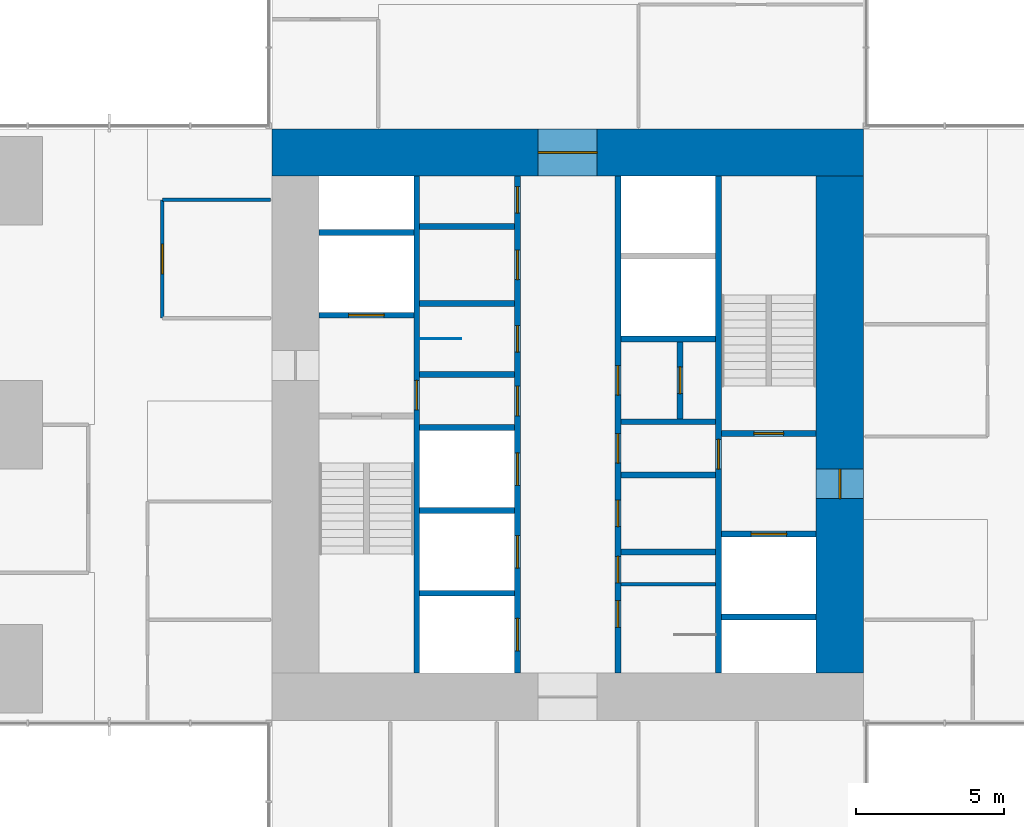
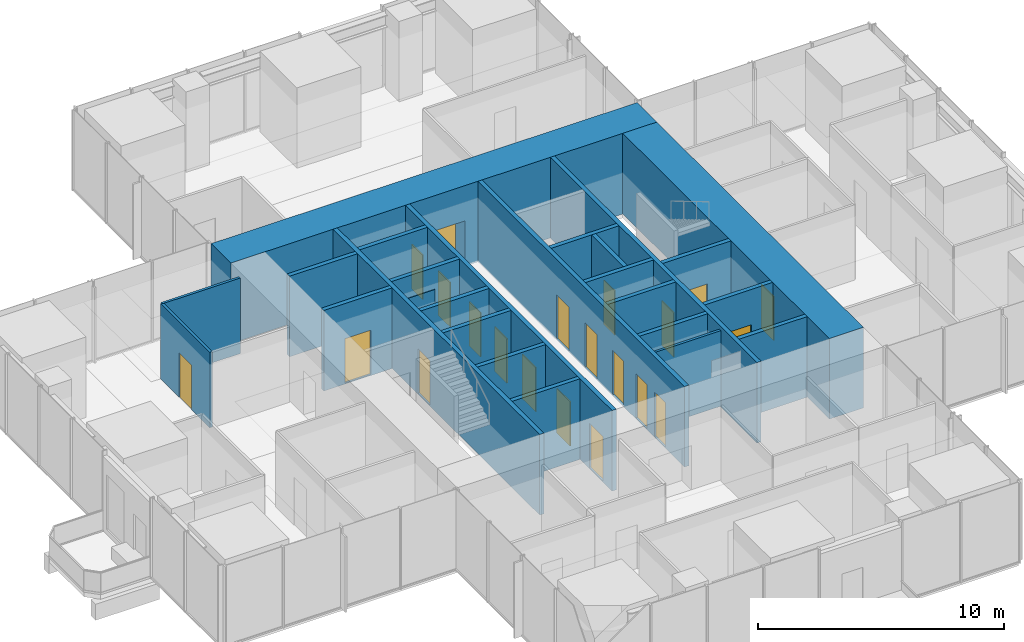
# One storey, part 9 of 13: 26 walls, 21 doors, 21 openings.
"""IFC4 building model written with IfcOpenShell, lengths in metres."""

import ifcopenshell
import ifcopenshell.guid

model = None  # the IFC model being written
_history = None  # IfcOwnerHistory: only IFC2X3 demands one
_inside = {}  # id of a spatial element -> (the spatial element, [elements in it])
_under = {}  # id of a project, library or spatial element -> (it, [spatial elements below it])
_declared = {}  # id of a project -> (the project, [libraries it declares])
_typed = {}  # id of a type object -> (the type object, [elements of that type])
_made_of = {}  # id of a material, layer set ... -> (it, [elements and type objects made of it])


def new_model(schema):
    """Start an empty IFC model of exactly this schema.

    Asked for "IFC4X3", IfcOpenShell would pick the latest addendum, in which some entities
    have other attributes; the version numbers below select the first issue.
    IFC2X3 requires an IfcOwnerHistory on every rooted entity: one is made here for all.
    """
    global model, _history
    if schema == "IFC4X3":
        model = ifcopenshell.file(schema_version=(4, 3, 0, 0))
    else:
        model = ifcopenshell.file(schema=schema)
    _inside.clear()
    _under.clear()
    _declared.clear()
    _typed.clear()
    _made_of.clear()
    _history = None
    if model.schema == "IFC2X3":
        org = make("IfcOrganization", Name="unknown")
        user = make(
            "IfcPersonAndOrganization",
            ThePerson=make("IfcPerson", FamilyName="unknown"),
            TheOrganization=org,
        )
        app = make(
            "IfcApplication",
            ApplicationDeveloper=org,
            Version="unknown",
            ApplicationFullName="unknown",
            ApplicationIdentifier="unknown",
        )
        _history = make(
            "IfcOwnerHistory",
            OwningUser=user,
            OwningApplication=app,
            ChangeAction="ADDED",
            CreationDate=0,
        )
    return model


def make(cls, **values):
    """One entity of the class cls with the attributes given. An attribute that is None is left unset."""
    return model.create_entity(
        cls, **{name: value for name, value in values.items() if value is not None}
    )


def rooted(cls, **values):
    """An entity with a GlobalId (a new one), such as an element, a storey or a relation."""
    return make(cls, GlobalId=ifcopenshell.guid.new(), OwnerHistory=_history, **values)


def si_unit(unit_type, name, prefix=None):
    """IfcSIUnit, for example si_unit("LENGTHUNIT", "METRE", prefix="MILLI")."""
    return make("IfcSIUnit", UnitType=unit_type, Prefix=prefix, Name=name)


def assignment(units):
    """IfcUnitAssignment: the units of a project."""
    return None if units is None else make("IfcUnitAssignment", Units=units)


def point(xyz):
    """IfcCartesianPoint."""
    return None if xyz is None else make("IfcCartesianPoint", Coordinates=xyz)


def direction(xyz):
    """IfcDirection."""
    return None if xyz is None else make("IfcDirection", DirectionRatios=xyz)


def frame(location, z_axis=None, x_axis=None):
    """IfcAxis2Placement3D, a coordinate frame: its origin and axes. An axis left out is left unset."""
    return make(
        "IfcAxis2Placement3D",
        Location=point(location),
        Axis=direction(z_axis),
        RefDirection=direction(x_axis),
    )


def frame_2d(location, x_axis=None):
    """IfcAxis2Placement2D, a coordinate frame in the plane: its origin and x axis."""
    return make(
        "IfcAxis2Placement2D", Location=point(location), RefDirection=direction(x_axis)
    )


def origin():
    """The frame at (0, 0, 0) with its axes left unset."""
    return frame((0.0, 0.0, 0.0))


def place(relative_to, where):
    """IfcLocalPlacement: puts the frame where relative to a parent placement (None: the world)."""
    return make(
        "IfcLocalPlacement", PlacementRelTo=relative_to, RelativePlacement=where
    )


def context(
    kind, dimensions, precision=None, world=None, true_north=None, identifier=None
):
    """IfcGeometricRepresentationContext, for example the 3D "Model" context."""
    return make(
        "IfcGeometricRepresentationContext",
        ContextIdentifier=identifier,
        ContextType=kind,
        CoordinateSpaceDimension=dimensions,
        Precision=precision,
        WorldCoordinateSystem=world,
        TrueNorth=true_north,
    )


def subcontext(parent, identifier, kind, view, scale=None):
    """IfcGeometricRepresentationSubContext, for example "Body" below "Model"."""
    return make(
        "IfcGeometricRepresentationSubContext",
        ContextIdentifier=identifier,
        ContextType=kind,
        ParentContext=parent,
        TargetScale=scale,
        TargetView=view,
    )


def project(units=None, contexts=None):
    """IfcProject with its units and contexts."""
    return rooted(
        "IfcProject",
        Name="project",
        RepresentationContexts=contexts,
        UnitsInContext=assignment(units),
    )


def spatial(cls, under=None, at=None, **own):
    """A site, building, storey or space (cls), placed at a placement, below another one or the project."""
    s = rooted(cls, ObjectPlacement=at, **own)
    if under is not None:
        _under.setdefault(under.id(), (under, []))[1].append(s)
    return s


def profile(cls, at=None, kind="AREA", **sizes):
    """A parametric profile (cls). Its sizes go by their IFC names, for example OverallWidth=200.0."""
    return make(cls, ProfileType=kind, Position=at, **sizes)


def rectangle(**sizes):
    """IfcRectangleProfileDef."""
    return profile("IfcRectangleProfileDef", **sizes)


def extrude(swept, where, along, depth):
    """IfcExtrudedAreaSolid: the profile swept, set in the frame where, extruded along a direction by depth."""
    return make(
        "IfcExtrudedAreaSolid",
        SweptArea=swept,
        Position=where,
        ExtrudedDirection=direction(along),
        Depth=depth,
    )


def shape(context_of_items, identifier, shape_type, items):
    """IfcShapeRepresentation: the items that make up one representation, for example the "Body"."""
    return make(
        "IfcShapeRepresentation",
        ContextOfItems=context_of_items,
        RepresentationIdentifier=identifier,
        RepresentationType=shape_type,
        Items=items,
    )


def material(Name=None, Category=None):
    """IfcMaterial."""
    return make("IfcMaterial", Name=Name, Category=Category)


def layer(
    of_material, thickness, ventilated=None, Name=None, Category=None, Priority=None
):
    """IfcMaterialLayer: one layer of a wall or slab, of a material (None: an air gap)."""
    return make(
        "IfcMaterialLayer",
        Material=of_material,
        LayerThickness=thickness,
        IsVentilated=ventilated,
        Name=Name,
        Category=Category,
        Priority=Priority,
    )


def layer_set(layers, Name=None):
    """IfcMaterialLayerSet."""
    return make("IfcMaterialLayerSet", MaterialLayers=layers, LayerSetName=Name)


def made_of(thing, what):
    """Note that an element or type object is made of a material, layer set ...; save() writes the relation."""
    if what is not None:
        _made_of.setdefault(what.id(), (what, []))[1].append(thing)
    return thing


def type_object(cls, material=None, **own):
    """A type object (cls), such as IfcWallType, which elements share."""
    return made_of(rooted(cls, **own), material)


def element(
    cls,
    number,
    at=None,
    inside=None,
    cuts=None,
    type_object=None,
    material=None,
    context=None,
    identifier="Body",
    shape_type=None,
    held_by="IfcProductDefinitionShape",
    body=None,
    shapes=None,
    **own,
):
    """One element of the class cls, such as IfcWall. Its Tag is "e" and its number.

    at: its placement. inside: the storey or other place that contains it. cuts: it is an
    opening in that element (IfcRelVoidsElement). A single representation is given by context,
    identifier, shape_type and body (its items); several are given by shapes. held_by: the class
    of the entity that holds the representations. save() writes the other relations.
    """
    e = rooted(cls, Tag="e%d" % number, ObjectPlacement=at, **own)
    if body is not None:
        shapes = [shape(context, identifier, shape_type, body)]
    if shapes is not None:
        e.Representation = make(held_by, Representations=shapes)
    if inside is not None:
        _inside.setdefault(inside.id(), (inside, []))[1].append(e)
    if cuts is not None:
        rooted(
            "IfcRelVoidsElement", RelatingBuildingElement=cuts, RelatedOpeningElement=e
        )
    if type_object is not None:
        _typed.setdefault(type_object.id(), (type_object, []))[1].append(e)
    return made_of(e, material)


def fill(opening, filler):
    """IfcRelFillsElement: the door or window that sits in an opening."""
    return rooted(
        "IfcRelFillsElement",
        RelatingOpeningElement=opening,
        RelatedBuildingElement=filler,
    )


def aggregate(whole, parts):
    """IfcRelAggregates: a whole, such as a stair, and the parts it consists of."""
    return rooted("IfcRelAggregates", RelatingObject=whole, RelatedObjects=parts)


def save(model, path):
    """Write the relations noted so far, then the file.

    IfcRelAggregates (storeys below a building ...), IfcRelContainedInSpatialStructure (elements
    in a storey), IfcRelDefinesByType, IfcRelAssociatesMaterial and IfcRelDeclares: one each for
    every whole, place, type object, material and project.
    """
    for whole, parts in _under.values():
        aggregate(whole, parts)
    for where, things in _inside.values():
        rooted(
            "IfcRelContainedInSpatialStructure",
            RelatedElements=things,
            RelatingStructure=where,
        )
    for kind, things in _typed.values():
        rooted("IfcRelDefinesByType", RelatedObjects=things, RelatingType=kind)
    for what, things in _made_of.values():
        rooted("IfcRelAssociatesMaterial", RelatedObjects=things, RelatingMaterial=what)
    for by, libraries in _declared.values():
        rooted("IfcRelDeclares", RelatingContext=by, RelatedDefinitions=libraries)
    model.write(path)


model = new_model("IFC4")

# Units and contexts
model_context = context("Model", 3, precision=1e-05, world=origin(), true_north=direction((0.0, 1.0)))
body_context = subcontext(model_context, "Body", "Model", "MODEL_VIEW")
ifc_project = project(units=[si_unit("LENGTHUNIT", "METRE"), si_unit("AREAUNIT", "SQUARE_METRE"), si_unit("VOLUMEUNIT", "CUBIC_METRE"), si_unit("PLANEANGLEUNIT", "RADIAN"), si_unit("MASSUNIT", "GRAM", prefix="KILO")], contexts=[model_context])

# Site, building, storey
site_placement = place(None, origin())
site = spatial("IfcSite", under=ifc_project, at=site_placement, CompositionType="ELEMENT")
building_placement = place(site_placement, origin())
building = spatial("IfcBuilding", under=site, at=building_placement, Name="Svetlomir Tower", CompositionType="ELEMENT")
storey_placement = place(building_placement, frame((0.0, 0.0, 144.5)))
storey = spatial("IfcBuildingStorey", under=building, at=storey_placement, Name="L34", CompositionType="ELEMENT", Elevation=144.5)

# Wall, opening, door
ifc_material_1 = material(Name="Concrete C60/75", Category="concrete")
ifc_layer_1 = layer(ifc_material_1, 0.199951171875)
ifc_layer_set_1 = layer_set([ifc_layer_1], Name="Concrete C60/75")
wall_type_1 = type_object("IfcWallType", Name="CORE INNER WALL 200", PredefinedType="SHEAR", material=ifc_layer_set_1)
wall_1_placement = place(storey_placement, frame((15.89990234375, 12.60009765625, -0.050048828125), z_axis=(0.0, 0.0, 1.0), x_axis=(0.0, 1.0, 0.0)))
wall_1 = element("IfcWall", 1, at=wall_1_placement, inside=storey, type_object=wall_type_1, Name="Core inner wall 15.9 L34", PredefinedType="SHEAR", context=body_context, shape_type="SweptSolid", body=[
    extrude(rectangle(XDim=16.7998046875, YDim=0.199951171875, at=frame_2d((8.39990234375, 0.0))), origin(), (0.0, 0.0, 1.0), 4.0),
])
opening_1_placement = place(wall_1_placement, frame((8.89990234375, 0.0, 0.050048828125)))
opening_1 = element("IfcOpeningElement", 2, at=opening_1_placement, cuts=wall_1, Name="Opening DF", PredefinedType="OPENING", context=body_context, shape_type="SweptSolid", body=[
    extrude(rectangle(XDim=1.0, YDim=2.199951171875, at=frame_2d((0.5, 1.10009765625))), frame((0.0, 0.10986328125, 0.0), z_axis=(0.0, -1.0, 0.0), x_axis=(1.0, 0.0, 0.0)), (0.0, 0.0, 1.0), 0.219970703125),
])
ifc_material_2 = material(Name="Steel fire door", Category="steel")
door_type_1 = type_object("IfcDoorType", Name="DOOR DF 1000x2200", OperationType="SINGLE_SWING_LEFT", PredefinedType="DOOR", material=ifc_material_2)
door_1_placement = place(opening_1_placement, origin())
door_1 = element("IfcDoor", 3, at=door_1_placement, inside=storey, type_object=door_type_1, Name="Core corridor west door L34", OperationType="SINGLE_SWING_LEFT", OverallHeight=2.199951171875, OverallWidth=1.0, PredefinedType="DOOR", context=body_context, shape_type="SweptSolid", body=[
    extrude(rectangle(XDim=1.0, YDim=2.199951171875, at=frame_2d((0.5, 1.10009765625))), frame((0.0, 0.02490234375, 0.0), z_axis=(0.0, -1.0, 0.0), x_axis=(1.0, 0.0, 0.0)), (0.0, 0.0, 1.0), 0.050048828125),
])
fill(opening_1, door_1)

# Wall, openings, doors
wall_2_placement = place(storey_placement, frame((19.300048828125, 12.60009765625, -0.050048828125), z_axis=(0.0, 0.0, 1.0), x_axis=(0.0, 1.0, 0.0)))
wall_2 = element("IfcWall", 4, at=wall_2_placement, inside=storey, type_object=wall_type_1, Name="Core inner wall 19.3 L34", PredefinedType="SHEAR", context=body_context, shape_type="SweptSolid", body=[
    extrude(rectangle(XDim=16.7998046875, YDim=0.199951171875, at=frame_2d((8.39990234375, 0.0))), origin(), (0.0, 0.0, 1.0), 4.0),
])
opening_2_placement = place(wall_2_placement, frame((8.699951171875, 0.0, 0.050048828125)))
opening_2 = element("IfcOpeningElement", 5, at=opening_2_placement, cuts=wall_2, Name="Opening DC", PredefinedType="OPENING", context=body_context, shape_type="SweptSolid", body=[
    extrude(rectangle(XDim=1.0, YDim=2.199951171875, at=frame_2d((0.5, 1.10009765625))), frame((0.0, 0.10986328125, 0.0), z_axis=(0.0, -1.0, 0.0), x_axis=(1.0, 0.0, 0.0)), (0.0, 0.0, 1.0), 0.219970703125),
])
opening_3_placement = place(wall_2_placement, frame((10.85009765625, 0.0, 0.050048828125)))
opening_3 = element("IfcOpeningElement", 6, at=opening_3_placement, cuts=wall_2, Name="Opening DW", PredefinedType="OPENING", context=body_context, shape_type="SweptSolid", body=[
    extrude(rectangle(XDim=0.89990234375, YDim=2.199951171875, at=frame_2d((0.449951171875, 1.10009765625))), frame((0.0, 0.10986328125, 0.0), z_axis=(0.0, -1.0, 0.0), x_axis=(1.0, 0.0, 0.0)), (0.0, 0.0, 1.0), 0.219970703125),
])
opening_4_placement = place(wall_2_placement, frame((13.300048828125, 0.0, 0.050048828125)))
opening_4 = element("IfcOpeningElement", 7, at=opening_4_placement, cuts=wall_2, Name="Opening DC", PredefinedType="OPENING", context=body_context, shape_type="SweptSolid", body=[
    extrude(rectangle(XDim=1.0, YDim=2.199951171875, at=frame_2d((0.5, 1.10009765625))), frame((0.0, 0.10986328125, 0.0), z_axis=(0.0, -1.0, 0.0), x_axis=(1.0, 0.0, 0.0)), (0.0, 0.0, 1.0), 0.219970703125),
])
opening_5_placement = place(wall_2_placement, frame((15.550048828125, 0.0, 0.050048828125)))
opening_5 = element("IfcOpeningElement", 8, at=opening_5_placement, cuts=wall_2, Name="Opening DW", PredefinedType="OPENING", context=body_context, shape_type="SweptSolid", body=[
    extrude(rectangle(XDim=0.89990234375, YDim=2.199951171875, at=frame_2d((0.449951171875, 1.10009765625))), frame((0.0, 0.10986328125, 0.0), z_axis=(0.0, -1.0, 0.0), x_axis=(1.0, 0.0, 0.0)), (0.0, 0.0, 1.0), 0.219970703125),
])
opening_6_placement = place(wall_2_placement, frame((0.75, 0.0, 0.050048828125)))
opening_6 = element("IfcOpeningElement", 9, at=opening_6_placement, cuts=wall_2, Name="Opening LD", PredefinedType="OPENING", context=body_context, shape_type="SweptSolid", body=[
    extrude(rectangle(XDim=1.10009765625, YDim=2.199951171875, at=frame_2d((0.550048828125, 1.10009765625))), frame((0.0, 0.10986328125, 0.0), z_axis=(0.0, -1.0, 0.0), x_axis=(1.0, 0.0, 0.0)), (0.0, 0.0, 1.0), 0.219970703125),
])
opening_7_placement = place(wall_2_placement, frame((3.550048828125, 0.0, 0.050048828125)))
opening_7 = element("IfcOpeningElement", 10, at=opening_7_placement, cuts=wall_2, Name="Opening LD", PredefinedType="OPENING", context=body_context, shape_type="SweptSolid", body=[
    extrude(rectangle(XDim=1.10009765625, YDim=2.199951171875, at=frame_2d((0.550048828125, 1.10009765625))), frame((0.0, 0.10986328125, 0.0), z_axis=(0.0, -1.0, 0.0), x_axis=(1.0, 0.0, 0.0)), (0.0, 0.0, 1.0), 0.219970703125),
])
opening_8_placement = place(wall_2_placement, frame((6.35009765625, 0.0, 0.050048828125)))
opening_8 = element("IfcOpeningElement", 11, at=opening_8_placement, cuts=wall_2, Name="Opening LD", PredefinedType="OPENING", context=body_context, shape_type="SweptSolid", body=[
    extrude(rectangle(XDim=1.10009765625, YDim=2.199951171875, at=frame_2d((0.550048828125, 1.10009765625))), frame((0.0, 0.10986328125, 0.0), z_axis=(0.0, -1.0, 0.0), x_axis=(1.0, 0.0, 0.0)), (0.0, 0.0, 1.0), 0.219970703125),
])
ifc_material_3 = material(Name="Timber fire door", Category="wood")
door_type_2 = type_object("IfcDoorType", Name="DOOR DC 1000x2200", OperationType="SINGLE_SWING_LEFT", PredefinedType="DOOR", material=ifc_material_3)
door_2_placement = place(opening_2_placement, origin())
door_2 = element("IfcDoor", 12, at=door_2_placement, inside=storey, type_object=door_type_2, Name="Core corridor west lobby door L34", OperationType="SINGLE_SWING_RIGHT", OverallHeight=2.199951171875, OverallWidth=1.0, PredefinedType="DOOR", context=body_context, shape_type="SweptSolid", body=[
    extrude(rectangle(XDim=1.0, YDim=2.199951171875, at=frame_2d((0.5, 1.10009765625))), frame((0.0, 0.02490234375, 0.0), z_axis=(0.0, -1.0, 0.0), x_axis=(1.0, 0.0, 0.0)), (0.0, 0.0, 1.0), 0.050048828125),
])
fill(opening_2, door_2)
door_3_placement = place(opening_4_placement, origin())
door_3 = element("IfcDoor", 13, at=door_3_placement, inside=storey, type_object=door_type_2, Name="Accessible WC door L34", OperationType="SINGLE_SWING_LEFT", OverallHeight=2.199951171875, OverallWidth=1.0, PredefinedType="DOOR", context=body_context, shape_type="SweptSolid", body=[
    extrude(rectangle(XDim=1.0, YDim=2.199951171875, at=frame_2d((0.5, 1.10009765625))), frame((0.0, 0.02490234375, 0.0), z_axis=(0.0, -1.0, 0.0), x_axis=(1.0, 0.0, 0.0)), (0.0, 0.0, 1.0), 0.050048828125),
])
fill(opening_4, door_3)
ifc_material_4 = material(Name="Timber fire door", Category="wood")
door_type_3 = type_object("IfcDoorType", Name="DOOR DW 900x2200", OperationType="SINGLE_SWING_LEFT", PredefinedType="DOOR", material=ifc_material_4)
door_4_placement = place(opening_3_placement, origin())
door_4 = element("IfcDoor", 14, at=door_4_placement, inside=storey, type_object=door_type_3, Name="Female WC door L34", OperationType="SINGLE_SWING_RIGHT", OverallHeight=2.199951171875, OverallWidth=0.89990234375, PredefinedType="DOOR", context=body_context, shape_type="SweptSolid", body=[
    extrude(rectangle(XDim=0.89990234375, YDim=2.199951171875, at=frame_2d((0.449951171875, 1.10009765625))), frame((0.0, 0.02490234375, 0.0), z_axis=(0.0, -1.0, 0.0), x_axis=(1.0, 0.0, 0.0)), (0.0, 0.0, 1.0), 0.050048828125),
])
fill(opening_3, door_4)
door_5_placement = place(opening_5_placement, origin())
door_5 = element("IfcDoor", 15, at=door_5_placement, inside=storey, type_object=door_type_3, Name="First aid room door L34", OperationType="SINGLE_SWING_RIGHT", OverallHeight=2.199951171875, OverallWidth=0.89990234375, PredefinedType="DOOR", context=body_context, shape_type="SweptSolid", body=[
    extrude(rectangle(XDim=0.89990234375, YDim=2.199951171875, at=frame_2d((0.449951171875, 1.10009765625))), frame((0.0, 0.02490234375, 0.0), z_axis=(0.0, -1.0, 0.0), x_axis=(1.0, 0.0, 0.0)), (0.0, 0.0, 1.0), 0.050048828125),
])
fill(opening_5, door_5)
ifc_material_5 = material(Name="Stainless steel landing door", Category="steel")
door_type_4 = type_object("IfcDoorType", Name="LIFT LANDING DOOR LD 1100x2200", OperationType="DOUBLE_DOOR_SLIDING", PredefinedType="DOOR", material=ifc_material_5)
door_6_placement = place(opening_6_placement, origin())
door_6 = element("IfcDoor", 16, at=door_6_placement, inside=storey, type_object=door_type_4, Name="Landing door lift LB1 L34", OperationType="DOUBLE_DOOR_SLIDING", OverallHeight=2.199951171875, OverallWidth=1.10009765625, PredefinedType="DOOR", context=body_context, shape_type="SweptSolid", body=[
    extrude(rectangle(XDim=1.10009765625, YDim=2.199951171875, at=frame_2d((0.550048828125, 1.10009765625))), frame((0.0, 0.02490234375, 0.0), z_axis=(0.0, -1.0, 0.0), x_axis=(1.0, 0.0, 0.0)), (0.0, 0.0, 1.0), 0.050048828125),
])
fill(opening_6, door_6)
door_7_placement = place(opening_7_placement, origin())
door_7 = element("IfcDoor", 17, at=door_7_placement, inside=storey, type_object=door_type_4, Name="Landing door lift LB2 L34", OperationType="DOUBLE_DOOR_SLIDING", OverallHeight=2.199951171875, OverallWidth=1.10009765625, PredefinedType="DOOR", context=body_context, shape_type="SweptSolid", body=[
    extrude(rectangle(XDim=1.10009765625, YDim=2.199951171875, at=frame_2d((0.550048828125, 1.10009765625))), frame((0.0, 0.02490234375, 0.0), z_axis=(0.0, -1.0, 0.0), x_axis=(1.0, 0.0, 0.0)), (0.0, 0.0, 1.0), 0.050048828125),
])
fill(opening_7, door_7)
door_8_placement = place(opening_8_placement, origin())
door_8 = element("IfcDoor", 18, at=door_8_placement, inside=storey, type_object=door_type_4, Name="Landing door lift LB3 L34", OperationType="DOUBLE_DOOR_SLIDING", OverallHeight=2.199951171875, OverallWidth=1.10009765625, PredefinedType="DOOR", context=body_context, shape_type="SweptSolid", body=[
    extrude(rectangle(XDim=1.10009765625, YDim=2.199951171875, at=frame_2d((0.550048828125, 1.10009765625))), frame((0.0, 0.02490234375, 0.0), z_axis=(0.0, -1.0, 0.0), x_axis=(1.0, 0.0, 0.0)), (0.0, 0.0, 1.0), 0.050048828125),
])
fill(opening_8, door_8)

wall_3_placement = place(storey_placement, frame((22.699951171875, 12.60009765625, -0.050048828125), z_axis=(0.0, 0.0, 1.0), x_axis=(0.0, 1.0, 0.0)))
wall_3 = element("IfcWall", 19, at=wall_3_placement, inside=storey, type_object=wall_type_1, Name="Core inner wall 22.7 L34", PredefinedType="SHEAR", context=body_context, shape_type="SweptSolid", body=[
    extrude(rectangle(XDim=16.7998046875, YDim=0.199951171875, at=frame_2d((8.39990234375, 0.0))), origin(), (0.0, 0.0, 1.0), 4.0),
])
opening_9_placement = place(wall_3_placement, frame((3.050048828125, 0.0, 0.050048828125)))
opening_9 = element("IfcOpeningElement", 20, at=opening_9_placement, cuts=wall_3, Name="Opening DW", PredefinedType="OPENING", context=body_context, shape_type="SweptSolid", body=[
    extrude(rectangle(XDim=0.89990234375, YDim=2.199951171875, at=frame_2d((0.449951171875, 1.10009765625))), frame((0.0, 0.10986328125, 0.0), z_axis=(0.0, -1.0, 0.0), x_axis=(1.0, 0.0, 0.0)), (0.0, 0.0, 1.0), 0.219970703125),
])
opening_10_placement = place(wall_3_placement, frame((7.10009765625, 0.0, 0.050048828125)))
opening_10 = element("IfcOpeningElement", 21, at=opening_10_placement, cuts=wall_3, Name="Opening DC", PredefinedType="OPENING", context=body_context, shape_type="SweptSolid", body=[
    extrude(rectangle(XDim=1.0, YDim=2.199951171875, at=frame_2d((0.5, 1.10009765625))), frame((0.0, 0.10986328125, 0.0), z_axis=(0.0, -1.0, 0.0), x_axis=(1.0, 0.0, 0.0)), (0.0, 0.0, 1.0), 0.219970703125),
])
opening_11_placement = place(wall_3_placement, frame((1.550048828125, 0.0, 0.050048828125)))
opening_11 = element("IfcOpeningElement", 22, at=opening_11_placement, cuts=wall_3, Name="Opening DW", PredefinedType="OPENING", context=body_context, shape_type="SweptSolid", body=[
    extrude(rectangle(XDim=0.89990234375, YDim=2.199951171875, at=frame_2d((0.449951171875, 1.10009765625))), frame((0.0, 0.10986328125, 0.0), z_axis=(0.0, -1.0, 0.0), x_axis=(1.0, 0.0, 0.0)), (0.0, 0.0, 1.0), 0.219970703125),
])
opening_12_placement = place(wall_3_placement, frame((4.949951171875, 0.0, 0.050048828125)))
opening_12 = element("IfcOpeningElement", 23, at=opening_12_placement, cuts=wall_3, Name="Opening DW", PredefinedType="OPENING", context=body_context, shape_type="SweptSolid", body=[
    extrude(rectangle(XDim=0.89990234375, YDim=2.199951171875, at=frame_2d((0.449951171875, 1.10009765625))), frame((0.0, 0.10986328125, 0.0), z_axis=(0.0, -1.0, 0.0), x_axis=(1.0, 0.0, 0.0)), (0.0, 0.0, 1.0), 0.219970703125),
])
opening_13_placement = place(wall_3_placement, frame((9.39990234375, 0.0, 0.050048828125)))
opening_13 = element("IfcOpeningElement", 24, at=opening_13_placement, cuts=wall_3, Name="Opening DC", PredefinedType="OPENING", context=body_context, shape_type="SweptSolid", body=[
    extrude(rectangle(XDim=1.0, YDim=2.199951171875, at=frame_2d((0.5, 1.10009765625))), frame((0.0, 0.10986328125, 0.0), z_axis=(0.0, -1.0, 0.0), x_axis=(1.0, 0.0, 0.0)), (0.0, 0.0, 1.0), 0.219970703125),
])
door_9_placement = place(opening_10_placement, origin())
door_9 = element("IfcDoor", 25, at=door_9_placement, inside=storey, type_object=door_type_2, Name="Core corridor east lobby door L34", OperationType="SINGLE_SWING_LEFT", OverallHeight=2.199951171875, OverallWidth=1.0, PredefinedType="DOOR", context=body_context, shape_type="SweptSolid", body=[
    extrude(rectangle(XDim=1.0, YDim=2.199951171875, at=frame_2d((0.5, 1.10009765625))), frame((0.0, 0.02490234375, 0.0), z_axis=(0.0, -1.0, 0.0), x_axis=(1.0, 0.0, 0.0)), (0.0, 0.0, 1.0), 0.050048828125),
])
fill(opening_10, door_9)
door_10_placement = place(opening_13_placement, origin())
door_10 = element("IfcDoor", 26, at=door_10_placement, inside=storey, type_object=door_type_2, Name="Converted shaft BANK-E1 room door L34", OperationType="SINGLE_SWING_LEFT", OverallHeight=2.199951171875, OverallWidth=1.0, PredefinedType="DOOR", context=body_context, shape_type="SweptSolid", body=[
    extrude(rectangle(XDim=1.0, YDim=2.199951171875, at=frame_2d((0.5, 1.10009765625))), frame((0.0, 0.02490234375, 0.0), z_axis=(0.0, -1.0, 0.0), x_axis=(1.0, 0.0, 0.0)), (0.0, 0.0, 1.0), 0.050048828125),
])
fill(opening_13, door_10)
door_11_placement = place(opening_9_placement, origin())
door_11 = element("IfcDoor", 27, at=door_11_placement, inside=storey, type_object=door_type_3, Name="Shower and changing room door L34", OperationType="SINGLE_SWING_LEFT", OverallHeight=2.199951171875, OverallWidth=0.89990234375, PredefinedType="DOOR", context=body_context, shape_type="SweptSolid", body=[
    extrude(rectangle(XDim=0.89990234375, YDim=2.199951171875, at=frame_2d((0.449951171875, 1.10009765625))), frame((0.0, 0.02490234375, 0.0), z_axis=(0.0, -1.0, 0.0), x_axis=(1.0, 0.0, 0.0)), (0.0, 0.0, 1.0), 0.050048828125),
])
fill(opening_9, door_11)
door_12_placement = place(opening_11_placement, origin())
door_12 = element("IfcDoor", 28, at=door_12_placement, inside=storey, type_object=door_type_3, Name="Male WC door L34", OperationType="SINGLE_SWING_RIGHT", OverallHeight=2.199951171875, OverallWidth=0.89990234375, PredefinedType="DOOR", context=body_context, shape_type="SweptSolid", body=[
    extrude(rectangle(XDim=0.89990234375, YDim=2.199951171875, at=frame_2d((0.449951171875, 1.10009765625))), frame((0.0, 0.02490234375, 0.0), z_axis=(0.0, -1.0, 0.0), x_axis=(1.0, 0.0, 0.0)), (0.0, 0.0, 1.0), 0.050048828125),
])
fill(opening_11, door_12)
door_13_placement = place(opening_12_placement, origin())
door_13 = element("IfcDoor", 29, at=door_13_placement, inside=storey, type_object=door_type_3, Name="Comms room door L34", OperationType="SINGLE_SWING_RIGHT", OverallHeight=2.199951171875, OverallWidth=0.89990234375, PredefinedType="DOOR", context=body_context, shape_type="SweptSolid", body=[
    extrude(rectangle(XDim=0.89990234375, YDim=2.199951171875, at=frame_2d((0.449951171875, 1.10009765625))), frame((0.0, 0.02490234375, 0.0), z_axis=(0.0, -1.0, 0.0), x_axis=(1.0, 0.0, 0.0)), (0.0, 0.0, 1.0), 0.050048828125),
])
fill(opening_12, door_13)

# Wall, opening, door
wall_4_placement = place(storey_placement, frame((26.10009765625, 12.60009765625, -0.050048828125), z_axis=(0.0, 0.0, 1.0), x_axis=(0.0, 1.0, 0.0)))
wall_4 = element("IfcWall", 30, at=wall_4_placement, inside=storey, type_object=wall_type_1, Name="Core inner wall 26.1 L34", PredefinedType="SHEAR", context=body_context, shape_type="SweptSolid", body=[
    extrude(rectangle(XDim=16.7998046875, YDim=0.199951171875, at=frame_2d((8.39990234375, 0.0))), origin(), (0.0, 0.0, 1.0), 4.0),
])
opening_14_placement = place(wall_4_placement, frame((6.89990234375, 0.0, 0.050048828125)))
opening_14 = element("IfcOpeningElement", 31, at=opening_14_placement, cuts=wall_4, Name="Opening DF", PredefinedType="OPENING", context=body_context, shape_type="SweptSolid", body=[
    extrude(rectangle(XDim=1.0, YDim=2.199951171875, at=frame_2d((0.5, 1.10009765625))), frame((0.0, 0.10986328125, 0.0), z_axis=(0.0, -1.0, 0.0), x_axis=(1.0, 0.0, 0.0)), (0.0, 0.0, 1.0), 0.219970703125),
])
door_14_placement = place(opening_14_placement, origin())
door_14 = element("IfcDoor", 32, at=door_14_placement, inside=storey, type_object=door_type_1, Name="Core corridor east door L34", OperationType="SINGLE_SWING_LEFT", OverallHeight=2.199951171875, OverallWidth=1.0, PredefinedType="DOOR", context=body_context, shape_type="SweptSolid", body=[
    extrude(rectangle(XDim=1.0, YDim=2.199951171875, at=frame_2d((0.5, 1.10009765625))), frame((0.0, 0.02490234375, 0.0), z_axis=(0.0, -1.0, 0.0), x_axis=(1.0, 0.0, 0.0)), (0.0, 0.0, 1.0), 0.050048828125),
])
fill(opening_14, door_14)

wall_5_placement = place(storey_placement, frame((12.60009765625, 24.699951171875, -0.050048828125), z_axis=(0.0, 0.0, 1.0), x_axis=(1.0, 0.0, 0.0)))
wall_5 = element("IfcWall", 33, at=wall_5_placement, inside=storey, type_object=wall_type_1, Name="Core inner wall 12.6-15.8/24.7 L34", PredefinedType="SHEAR", context=body_context, shape_type="SweptSolid", body=[
    extrude(rectangle(XDim=3.199951171875, YDim=0.199951171875, at=frame_2d((1.60009765625, 0.0))), origin(), (0.0, 0.0, 1.0), 4.0),
])
opening_15_placement = place(wall_5_placement, frame((1.0, 0.0, 0.050048828125)))
opening_15 = element("IfcOpeningElement", 34, at=opening_15_placement, cuts=wall_5, Name="Opening LD3", PredefinedType="OPENING", context=body_context, shape_type="SweptSolid", body=[
    extrude(rectangle(XDim=1.199951171875, YDim=2.199951171875, at=frame_2d((0.60009765625, 1.10009765625))), frame((0.0, 0.10986328125, 0.0), z_axis=(0.0, -1.0, 0.0), x_axis=(1.0, 0.0, 0.0)), (0.0, 0.0, 1.0), 0.219970703125),
])
ifc_material_6 = material(Name="Stainless steel fire-rated landing door", Category="steel")
door_type_5 = type_object("IfcDoorType", Name="FIREFIGHTING LIFT LANDING DOOR LD3 1200x2200", OperationType="DOUBLE_DOOR_SLIDING", PredefinedType="DOOR", material=ifc_material_6)
door_15_placement = place(opening_15_placement, origin())
door_15 = element("IfcDoor", 35, at=door_15_placement, inside=storey, type_object=door_type_5, Name="Landing door lift FL1 L34", OperationType="DOUBLE_DOOR_SLIDING", OverallHeight=2.199951171875, OverallWidth=1.199951171875, PredefinedType="DOOR", context=body_context, shape_type="SweptSolid", body=[
    extrude(rectangle(XDim=1.199951171875, YDim=2.199951171875, at=frame_2d((0.60009765625, 1.10009765625))), frame((0.0, 0.02490234375, 0.0), z_axis=(0.0, -1.0, 0.0), x_axis=(1.0, 0.0, 0.0)), (0.0, 0.0, 1.0), 0.050048828125),
])
fill(opening_15, door_15)

# Walls
for number, where, z_axis, x_axis, name in (
    (36, (12.60009765625, 27.5, -0.050048828125), (0.0, 0.0, 1.0), (1.0, 0.0, 0.0), "Core inner wall 12.6-15.8/27.5 L34"),
    (37, (16.0, 15.300048828125, -0.050048828125), (0.0, 0.0, 1.0), (1.0, 0.0, 0.0), "Core inner wall 16-19.2/15.3 L34"),
    (38, (16.0, 18.10009765625, -0.050048828125), (0.0, 0.0, 1.0), (1.0, 0.0, 0.0), "Core inner wall 16-19.2/18.1 L34"),
    (39, (16.0, 20.89990234375, -0.050048828125), (0.0, 0.0, 1.0), (1.0, 0.0, 0.0), "Core inner wall 16-19.2/20.9 L34"),
    (40, (16.0, 22.699951171875, -0.050048828125), (0.0, 0.0, 1.0), (1.0, 0.0, 0.0), "Core inner wall 16-19.2/22.7 L34"),
    (41, (16.0, 25.10009765625, -0.050048828125), (0.0, 0.0, 1.0), (1.0, 0.0, 0.0), "Core inner wall 16-19.2/25.1 L34"),
    (42, (16.0, 27.699951171875, -0.050048828125), (0.0, 0.0, 1.0), (1.0, 0.0, 0.0), "Core inner wall 16-19.2/27.7 L34"),
    (43, (22.800048828125, 16.699951171875, -0.050048828125), (0.0, 0.0, 1.0), (1.0, 0.0, 0.0), "Core inner wall 22.8-26/16.7 L34"),
    (44, (22.800048828125, 19.300048828125, -0.050048828125), (0.0, 0.0, 1.0), (1.0, 0.0, 0.0), "Core inner wall 22.8-26/19.3 L34"),
    (45, (22.800048828125, 21.10009765625, -0.050048828125), (0.0, 0.0, 1.0), (1.0, 0.0, 0.0), "Core inner wall 22.8-26/21.1 L34"),
    (46, (22.800048828125, 23.89990234375, -0.050048828125), (0.0, 0.0, 1.0), (1.0, 0.0, 0.0), "Core inner wall 22.8-26/23.9 L34"),
    (47, (26.199951171875, 14.5, -0.050048828125), (0.0, 0.0, 1.0), (1.0, 0.0, 0.0), "Core inner wall 26.2-29.4/14.5 L34"),
):
    element("IfcWall", number, at=place(storey_placement, frame(where, z_axis=z_axis, x_axis=x_axis)), inside=storey, type_object=wall_type_1, Name=name, PredefinedType="SHEAR", context=body_context, shape_type="SweptSolid", body=[
        extrude(rectangle(XDim=3.199951171875, YDim=0.199951171875, at=frame_2d((1.60009765625, 0.0))), origin(), (0.0, 0.0, 1.0), 4.0),
    ])

# Wall, opening, door
wall_6_placement = place(storey_placement, frame((26.199951171875, 17.300048828125, -0.050048828125), z_axis=(0.0, 0.0, 1.0), x_axis=(1.0, 0.0, 0.0)))
wall_6 = element("IfcWall", 48, at=wall_6_placement, inside=storey, type_object=wall_type_1, Name="Core inner wall 26.2-29.4/17.3 L34", PredefinedType="SHEAR", context=body_context, shape_type="SweptSolid", body=[
    extrude(rectangle(XDim=3.199951171875, YDim=0.199951171875, at=frame_2d((1.60009765625, 0.0))), origin(), (0.0, 0.0, 1.0), 4.0),
])
opening_16_placement = place(wall_6_placement, frame((1.0, 0.0, 0.050048828125)))
opening_16 = element("IfcOpeningElement", 49, at=opening_16_placement, cuts=wall_6, Name="Opening LD3", PredefinedType="OPENING", context=body_context, shape_type="SweptSolid", body=[
    extrude(rectangle(XDim=1.199951171875, YDim=2.199951171875, at=frame_2d((0.60009765625, 1.10009765625))), frame((0.0, 0.10986328125, 0.0), z_axis=(0.0, -1.0, 0.0), x_axis=(1.0, 0.0, 0.0)), (0.0, 0.0, 1.0), 0.219970703125),
])
door_16_placement = place(opening_16_placement, origin())
door_16 = element("IfcDoor", 50, at=door_16_placement, inside=storey, type_object=door_type_5, Name="Landing door lift FL2 L34", OperationType="DOUBLE_DOOR_SLIDING", OverallHeight=2.199951171875, OverallWidth=1.199951171875, PredefinedType="DOOR", context=body_context, shape_type="SweptSolid", body=[
    extrude(rectangle(XDim=1.199951171875, YDim=2.199951171875, at=frame_2d((0.60009765625, 1.10009765625))), frame((0.0, 0.02490234375, 0.0), z_axis=(0.0, -1.0, 0.0), x_axis=(1.0, 0.0, 0.0)), (0.0, 0.0, 1.0), 0.050048828125),
])
fill(opening_16, door_16)

wall_7_placement = place(storey_placement, frame((26.199951171875, 20.699951171875, -0.050048828125), z_axis=(0.0, 0.0, 1.0), x_axis=(1.0, 0.0, 0.0)))
wall_7 = element("IfcWall", 51, at=wall_7_placement, inside=storey, type_object=wall_type_1, Name="Core inner wall 26.2-29.4/20.7 L34", PredefinedType="SHEAR", context=body_context, shape_type="SweptSolid", body=[
    extrude(rectangle(XDim=3.199951171875, YDim=0.199951171875, at=frame_2d((1.60009765625, 0.0))), origin(), (0.0, 0.0, 1.0), 4.0),
])
opening_17_placement = place(wall_7_placement, frame((1.10009765625, 0.0, 0.050048828125)))
opening_17 = element("IfcOpeningElement", 52, at=opening_17_placement, cuts=wall_7, Name="Opening DF", PredefinedType="OPENING", context=body_context, shape_type="SweptSolid", body=[
    extrude(rectangle(XDim=1.0, YDim=2.199951171875, at=frame_2d((0.5, 1.10009765625))), frame((0.0, 0.10986328125, 0.0), z_axis=(0.0, -1.0, 0.0), x_axis=(1.0, 0.0, 0.0)), (0.0, 0.0, 1.0), 0.219970703125),
])
door_17_placement = place(opening_17_placement, origin())
door_17 = element("IfcDoor", 53, at=door_17_placement, inside=storey, type_object=door_type_1, Name="Stair S2 door L34", OperationType="SINGLE_SWING_LEFT", OverallHeight=2.199951171875, OverallWidth=1.0, PredefinedType="DOOR", context=body_context, shape_type="SweptSolid", body=[
    extrude(rectangle(XDim=1.0, YDim=2.199951171875, at=frame_2d((0.5, 1.10009765625))), frame((0.0, 0.02490234375, 0.0), z_axis=(0.0, -1.0, 0.0), x_axis=(1.0, 0.0, 0.0)), (0.0, 0.0, 1.0), 0.050048828125),
])
fill(opening_17, door_17)

wall_8_placement = place(storey_placement, frame((24.800048828125, 21.199951171875, -0.050048828125), z_axis=(0.0, 0.0, 1.0), x_axis=(0.0, 1.0, 0.0)))
wall_8 = element("IfcWall", 54, at=wall_8_placement, inside=storey, type_object=wall_type_1, Name="Core inner wall 24.8/21.2-23.8 L34", PredefinedType="SHEAR", context=body_context, shape_type="SweptSolid", body=[
    extrude(rectangle(XDim=2.60009765625, YDim=0.199951171875, at=frame_2d((1.300048828125, 0.0))), origin(), (0.0, 0.0, 1.0), 4.0),
])
opening_18_placement = place(wall_8_placement, frame((0.85009765625, 0.0, 0.050048828125)))
opening_18 = element("IfcOpeningElement", 55, at=opening_18_placement, cuts=wall_8, Name="Opening DW", PredefinedType="OPENING", context=body_context, shape_type="SweptSolid", body=[
    extrude(rectangle(XDim=0.89990234375, YDim=2.199951171875, at=frame_2d((0.449951171875, 1.10009765625))), frame((0.0, 0.10986328125, 0.0), z_axis=(0.0, -1.0, 0.0), x_axis=(1.0, 0.0, 0.0)), (0.0, 0.0, 1.0), 0.219970703125),
])
door_18_placement = place(opening_18_placement, origin())
door_18 = element("IfcDoor", 56, at=door_18_placement, inside=storey, type_object=door_type_3, Name="Converted shaft BANK-E1 back room door L34", OperationType="SINGLE_SWING_RIGHT", OverallHeight=2.199951171875, OverallWidth=0.89990234375, PredefinedType="DOOR", context=body_context, shape_type="SweptSolid", body=[
    extrude(rectangle(XDim=0.89990234375, YDim=2.199951171875, at=frame_2d((0.449951171875, 1.10009765625))), frame((0.0, 0.02490234375, 0.0), z_axis=(0.0, -1.0, 0.0), x_axis=(1.0, 0.0, 0.0)), (0.0, 0.0, 1.0), 0.050048828125),
])
fill(opening_18, door_18)

ifc_material_7 = material(Name="Concrete C60/75", Category="concrete")
ifc_layer_2 = layer(ifc_material_7, 1.60009765625)
ifc_layer_set_2 = layer_set([ifc_layer_2], Name="Concrete C60/75")
wall_type_2 = type_object("IfcWallType", Name="CORE WALL 1600", PredefinedType="SHEAR", material=ifc_layer_set_2)
wall_9_placement = place(storey_placement, frame((11.0, 30.199951171875, -0.050048828125), z_axis=(0.0, 0.0, 1.0), x_axis=(1.0, 0.0, 0.0)))
wall_9 = element("IfcWall", 57, at=wall_9_placement, inside=storey, type_object=wall_type_2, Name="Core wall north L34", PredefinedType="SHEAR", context=body_context, shape_type="SweptSolid", body=[
    extrude(rectangle(XDim=20.0, YDim=1.60009765625, at=frame_2d((10.0, 0.0))), origin(), (0.0, 0.0, 1.0), 4.0),
])
opening_19_placement = place(wall_9_placement, frame((9.0, 0.0, 0.050048828125)))
opening_19 = element("IfcOpeningElement", 58, at=opening_19_placement, cuts=wall_9, Name="Opening DL", PredefinedType="OPENING", context=body_context, shape_type="SweptSolid", body=[
    extrude(rectangle(XDim=2.0, YDim=2.199951171875, at=frame_2d((1.0, 1.10009765625))), frame((0.0, 0.81005859375, 0.0), z_axis=(0.0, -1.0, 0.0), x_axis=(1.0, 0.0, 0.0)), (0.0, 0.0, 1.0), 1.6201171875),
])
ifc_material_8 = material(Name="Steel fire door", Category="steel")
door_type_6 = type_object("IfcDoorType", Name="DOOR DL 2000x2200", OperationType="DOUBLE_DOOR_SINGLE_SWING", PredefinedType="DOOR", material=ifc_material_8)
door_19_placement = place(opening_19_placement, origin())
door_19 = element("IfcDoor", 59, at=door_19_placement, inside=storey, type_object=door_type_6, Name="Lift lobby north door L34", OperationType="DOUBLE_DOOR_SINGLE_SWING", OverallHeight=2.199951171875, OverallWidth=2.0, PredefinedType="DOOR", context=body_context, shape_type="SweptSolid", body=[
    extrude(rectangle(XDim=2.0, YDim=2.199951171875, at=frame_2d((1.0, 1.10009765625))), frame((0.0, 0.02490234375, 0.0), z_axis=(0.0, -1.0, 0.0), x_axis=(1.0, 0.0, 0.0)), (0.0, 0.0, 1.0), 0.050048828125),
])
fill(opening_19, door_19)

wall_10_placement = place(storey_placement, frame((30.199951171875, 12.60009765625, -0.050048828125), z_axis=(0.0, 0.0, 1.0), x_axis=(0.0, 1.0, 0.0)))
wall_10 = element("IfcWall", 60, at=wall_10_placement, inside=storey, type_object=wall_type_2, Name="Core wall east L34", PredefinedType="SHEAR", context=body_context, shape_type="SweptSolid", body=[
    extrude(rectangle(XDim=16.7998046875, YDim=1.60009765625, at=frame_2d((8.39990234375, 0.0))), origin(), (0.0, 0.0, 1.0), 4.0),
])
opening_20_placement = place(wall_10_placement, frame((5.89990234375, 0.0, 0.050048828125)))
opening_20 = element("IfcOpeningElement", 61, at=opening_20_placement, cuts=wall_10, Name="Opening DF", PredefinedType="OPENING", context=body_context, shape_type="SweptSolid", body=[
    extrude(rectangle(XDim=1.0, YDim=2.199951171875, at=frame_2d((0.5, 1.10009765625))), frame((0.0, 0.81005859375, 0.0), z_axis=(0.0, -1.0, 0.0), x_axis=(1.0, 0.0, 0.0)), (0.0, 0.0, 1.0), 1.6201171875),
])
door_20_placement = place(opening_20_placement, origin())
door_20 = element("IfcDoor", 62, at=door_20_placement, inside=storey, type_object=door_type_1, Name="Firefighting lobby east door L34", OperationType="SINGLE_SWING_LEFT", OverallHeight=2.199951171875, OverallWidth=1.0, PredefinedType="DOOR", context=body_context, shape_type="SweptSolid", body=[
    extrude(rectangle(XDim=1.0, YDim=2.199951171875, at=frame_2d((0.5, 1.10009765625))), frame((0.0, 0.02490234375, 0.0), z_axis=(0.0, -1.0, 0.0), x_axis=(1.0, 0.0, 0.0)), (0.0, 0.0, 1.0), 0.050048828125),
])
fill(opening_20, door_20)

# Wall
ifc_material_9 = material(Name="Gypsum board on steel studs", Category="steel")
ifc_layer_3 = layer(ifc_material_9, 0.1201171875)
ifc_layer_set_3 = layer_set([ifc_layer_3], Name="Gypsum board on steel studs")
wall_type_3 = type_object("IfcWallType", Name="PARTITION 120", PredefinedType="PARTITIONING", material=ifc_layer_set_3)
wall_11_placement = place(storey_placement, frame((22.800048828125, 15.60009765625, 0.0), z_axis=(0.0, 0.0, 1.0), x_axis=(1.0, 0.0, 0.0)))
element("IfcWall", 63, at=wall_11_placement, inside=storey, type_object=wall_type_3, Name="Shower room partition L34", PredefinedType="PARTITIONING", context=body_context, shape_type="SweptSolid", body=[
    extrude(rectangle(XDim=3.199951171875, YDim=0.1201171875, at=frame_2d((1.60009765625, 0.0))), origin(), (0.0, 0.0, 1.0), 3.75),
])

# Wall, opening, door
wall_12_placement = place(storey_placement, frame((7.300048828125, 24.60009765625, 0.0), z_axis=(0.0, 0.0, 1.0), x_axis=(0.0, 1.0, 0.0)))
wall_12 = element("IfcWall", 64, at=wall_12_placement, inside=storey, type_object=wall_type_3, Name="Partition L34", PredefinedType="PARTITIONING", context=body_context, shape_type="SweptSolid", body=[
    extrude(rectangle(XDim=4.0, YDim=0.1201171875, at=frame_2d((2.0, 0.0))), origin(), (0.0, 0.0, 1.0), 3.75),
])
opening_21_placement = place(wall_12_placement, frame((1.5, 0.0, 0.0)))
opening_21 = element("IfcOpeningElement", 65, at=opening_21_placement, cuts=wall_12, Name="Opening DR", PredefinedType="OPENING", context=body_context, shape_type="SweptSolid", body=[
    extrude(rectangle(XDim=1.0, YDim=2.199951171875, at=frame_2d((0.5, 1.10009765625))), frame((0.0, 0.070068359375, 0.0), z_axis=(0.0, -1.0, 0.0), x_axis=(1.0, 0.0, 0.0)), (0.0, 0.0, 1.0), 0.14013671875),
])
ifc_material_10 = material(Name="Timber door, glazed side light", Category="wood")
door_type_7 = type_object("IfcDoorType", Name="DOOR DR 1000x2200", OperationType="SINGLE_SWING_LEFT", PredefinedType="DOOR", material=ifc_material_10)
door_21_placement = place(opening_21_placement, origin())
door_21 = element("IfcDoor", 66, at=door_21_placement, inside=storey, type_object=door_type_7, Name="Records store door L34", OperationType="SINGLE_SWING_LEFT", OverallHeight=2.199951171875, OverallWidth=1.0, PredefinedType="DOOR", context=body_context, shape_type="SweptSolid", body=[
    extrude(rectangle(XDim=1.0, YDim=2.199951171875, at=frame_2d((0.5, 1.10009765625))), frame((0.0, 0.02490234375, 0.0), z_axis=(0.0, -1.0, 0.0), x_axis=(1.0, 0.0, 0.0)), (0.0, 0.0, 1.0), 0.050048828125),
])
fill(opening_21, door_21)

# Walls
wall_13_placement = place(storey_placement, frame((7.300048828125, 28.60009765625, 0.0), z_axis=(0.0, 0.0, 1.0), x_axis=(1.0, 0.0, 0.0)))
element("IfcWall", 67, at=wall_13_placement, inside=storey, type_object=wall_type_3, Name="Partition L34", PredefinedType="PARTITIONING", context=body_context, shape_type="SweptSolid", body=[
    extrude(rectangle(XDim=3.64990234375, YDim=0.1201171875, at=frame_2d((1.824951171875, 0.0))), origin(), (0.0, 0.0, 1.0), 3.75),
])
ifc_material_11 = material(Name="Compact laminate panel", Category="plastic")
ifc_layer_4 = layer(ifc_material_11, 0.030029296875)
ifc_layer_set_4 = layer_set([ifc_layer_4], Name="Compact laminate panel")
wall_type_4 = type_object("IfcWallType", Name="WC CUBICLE PARTITION 30", PredefinedType="PARTITIONING", material=ifc_layer_set_4)
wall_14_placement = place(storey_placement, frame((16.0, 23.89990234375, 0.0), z_axis=(0.0, 0.0, 1.0), x_axis=(1.0, 0.0, 0.0)))
element("IfcWall", 68, at=wall_14_placement, inside=storey, type_object=wall_type_4, Name="WC cubicle partition L34", PredefinedType="PARTITIONING", context=body_context, shape_type="SweptSolid", body=[
    extrude(rectangle(XDim=1.39990234375, YDim=0.030029296875, at=frame_2d((0.699951171875, 0.0))), origin(), (0.0, 0.0, 1.0), 3.75),
])

save(model, "model.ifc")
